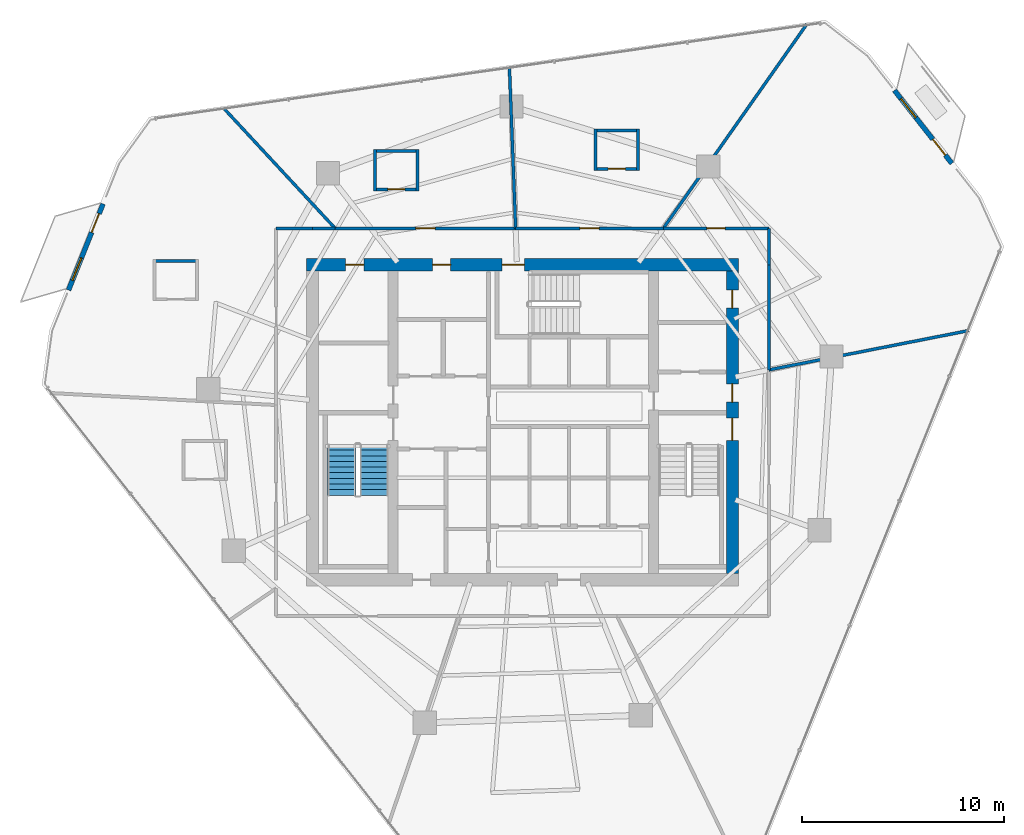
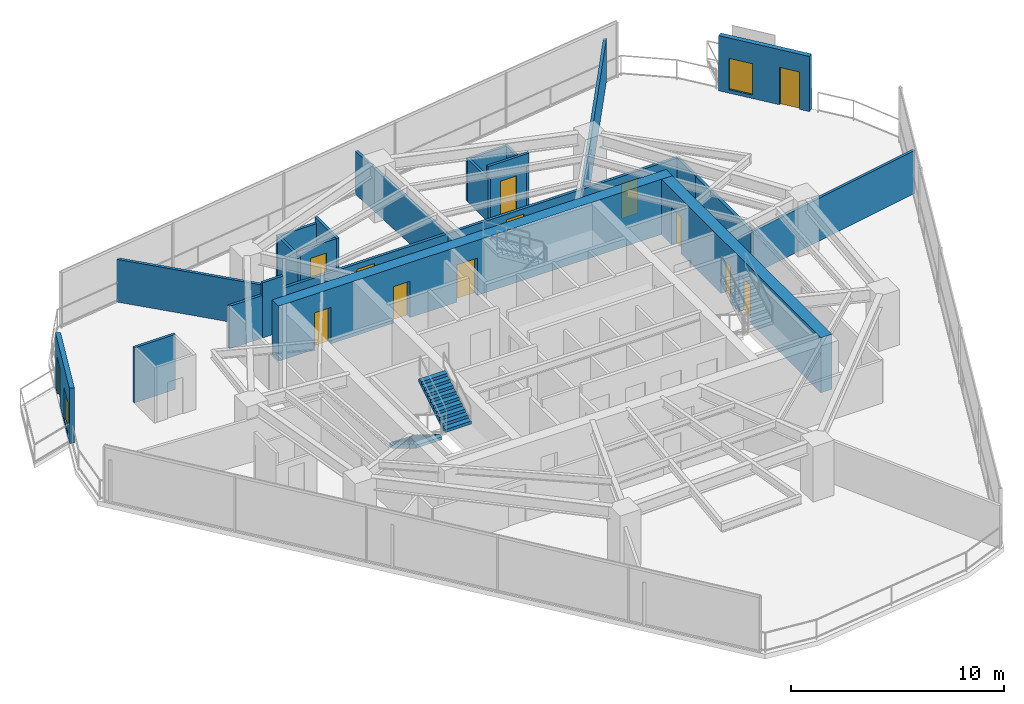
# One storey, part 25 of 29: 24 walls, 13 doors, 2 stair flights, 2 windows, 15 openings, 1 element without a shape of its own.
"""IFC4 building model written with IfcOpenShell, lengths in metres."""

from ifc_helpers import new_model, si_unit, direction, frame, frame_2d, origin, place, context, subcontext, project, spatial, polyline, rectangle, outline, extrude, material, layer, layer_set, type_object, element, fill, aggregate, save


model = new_model("IFC4")

# Units and contexts
model_context = context("Model", 3, precision=1e-05, world=origin(), true_north=direction((0.0, 1.0)))
body_context = subcontext(model_context, "Body", "Model", "MODEL_VIEW")
ifc_project = project(units=[si_unit("LENGTHUNIT", "METRE"), si_unit("AREAUNIT", "SQUARE_METRE"), si_unit("VOLUMEUNIT", "CUBIC_METRE"), si_unit("PLANEANGLEUNIT", "RADIAN"), si_unit("MASSUNIT", "GRAM", prefix="KILO")], contexts=[model_context])

# Site, building, storey
site_placement = place(None, origin())
site = spatial("IfcSite", under=ifc_project, at=site_placement, CompositionType="ELEMENT")
building_placement = place(site_placement, origin())
building = spatial("IfcBuilding", under=site, at=building_placement, Name="Qarnah Convention Tower", CompositionType="ELEMENT")
storey_placement = place(building_placement, frame((0.0, 0.0, 97.050048828125)))
storey = spatial("IfcBuildingStorey", under=building, at=storey_placement, Name="L25", CompositionType="ELEMENT", Elevation=97.050048828125)

# Wall, openings, doors
ifc_material_1 = material(Name="Concrete C60/75", Category="concrete")
ifc_layer_1 = layer(ifc_material_1, 0.60009765625)
ifc_layer_set_1 = layer_set([ifc_layer_1], Name="Concrete C60/75")
wall_type_1 = type_object("IfcWallType", Name="WL-CORE-600", PredefinedType="SHEAR", material=ifc_layer_set_1)
wall_1_placement = place(storey_placement, frame((26.5, 34.199951171875, 0.0), z_axis=(0.0, 0.0, 1.0), x_axis=(1.0, 0.0, 0.0)))
wall_1 = element("IfcWall", 1, at=wall_1_placement, inside=storey, type_object=wall_type_1, Name="L25 core north shear wall", PredefinedType="SHEAR", context=body_context, shape_type="SweptSolid", body=[
    extrude(rectangle(XDim=21.39990234375, YDim=0.60009765625, at=frame_2d((10.699951171875, 0.0))), origin(), (0.0, 0.0, 1.0), 3.169921875),
])
opening_1_placement = place(wall_1_placement, frame((9.699951171875, 0.0, 0.0)))
opening_1 = element("IfcOpeningElement", 2, at=opening_1_placement, cuts=wall_1, Name="Opening D-2503", PredefinedType="OPENING", context=body_context, shape_type="SweptSolid", body=[
    extrude(rectangle(XDim=1.10009765625, YDim=2.14990234375, at=frame_2d((0.550048828125, 1.074951171875))), frame((0.0, 0.31005859375, 0.0), z_axis=(0.0, -1.0, 0.0), x_axis=(1.0, 0.0, 0.0)), (0.0, 0.0, 1.0), 0.6201171875),
])
opening_2_placement = place(wall_1_placement, frame((1.949951171875, 0.0, 0.0)))
opening_2 = element("IfcOpeningElement", 3, at=opening_2_placement, cuts=wall_1, Name="Opening D-2509", PredefinedType="OPENING", context=body_context, shape_type="SweptSolid", body=[
    extrude(rectangle(XDim=0.89990234375, YDim=2.10009765625, at=frame_2d((0.449951171875, 1.050048828125))), frame((0.0, 0.31005859375, 0.0), z_axis=(0.0, -1.0, 0.0), x_axis=(1.0, 0.0, 0.0)), (0.0, 0.0, 1.0), 0.6201171875),
])
opening_3_placement = place(wall_1_placement, frame((6.25, 0.0, 0.0)))
opening_3 = element("IfcOpeningElement", 4, at=opening_3_placement, cuts=wall_1, Name="Opening D-2510", PredefinedType="OPENING", context=body_context, shape_type="SweptSolid", body=[
    extrude(rectangle(XDim=0.89990234375, YDim=2.10009765625, at=frame_2d((0.449951171875, 1.050048828125))), frame((0.0, 0.31005859375, 0.0), z_axis=(0.0, -1.0, 0.0), x_axis=(1.0, 0.0, 0.0)), (0.0, 0.0, 1.0), 0.6201171875),
])
ifc_material_2 = material(Name="Structural steel S355JR", Category="steel")
door_type_1 = type_object("IfcDoorType", Name="DT-RISER-900", OperationType="NOTDEFINED", PredefinedType="DOOR", material=ifc_material_2)
door_1_placement = place(opening_2_placement, origin())
door_1 = element("IfcDoor", 5, at=door_1_placement, inside=storey, type_object=door_type_1, Name="Door D-2509", OperationType="SINGLE_SWING_LEFT", OverallHeight=2.10009765625, OverallWidth=0.89990234375, PredefinedType="DOOR", context=body_context, shape_type="SweptSolid", body=[
    extrude(rectangle(XDim=0.89990234375, YDim=2.10009765625, at=frame_2d((0.449951171875, 1.050048828125))), frame((0.0, 0.02490234375, 0.0), z_axis=(0.0, -1.0, 0.0), x_axis=(1.0, 0.0, 0.0)), (0.0, 0.0, 1.0), 0.050048828125),
])
fill(opening_2, door_1)
door_2_placement = place(opening_3_placement, origin())
door_2 = element("IfcDoor", 6, at=door_2_placement, inside=storey, type_object=door_type_1, Name="Door D-2510", OperationType="SINGLE_SWING_RIGHT", OverallHeight=2.10009765625, OverallWidth=0.89990234375, PredefinedType="DOOR", context=body_context, shape_type="SweptSolid", body=[
    extrude(rectangle(XDim=0.89990234375, YDim=2.10009765625, at=frame_2d((0.449951171875, 1.050048828125))), frame((0.0, 0.02490234375, 0.0), z_axis=(0.0, -1.0, 0.0), x_axis=(1.0, 0.0, 0.0)), (0.0, 0.0, 1.0), 0.050048828125),
])
fill(opening_3, door_2)
door_type_2 = type_object("IfcDoorType", Name="DT-STAIR-1100", OperationType="NOTDEFINED", PredefinedType="DOOR", material=ifc_material_2)
door_3_placement = place(opening_1_placement, origin())
door_3 = element("IfcDoor", 7, at=door_3_placement, inside=storey, type_object=door_type_2, Name="Door D-2503", OperationType="SINGLE_SWING_LEFT", OverallHeight=2.14990234375, OverallWidth=1.10009765625, PredefinedType="DOOR", context=body_context, shape_type="SweptSolid", body=[
    extrude(rectangle(XDim=1.10009765625, YDim=2.14990234375, at=frame_2d((0.550048828125, 1.074951171875))), frame((0.0, 0.02490234375, 0.0), z_axis=(0.0, -1.0, 0.0), x_axis=(1.0, 0.0, 0.0)), (0.0, 0.0, 1.0), 0.050048828125),
])
fill(opening_1, door_3)

wall_2_placement = place(storey_placement, frame((47.60009765625, 18.89990234375, 0.0), z_axis=(0.0, 0.0, 1.0), x_axis=(0.0, 1.0, 0.0)))
wall_2 = element("IfcWall", 8, at=wall_2_placement, inside=storey, type_object=wall_type_1, Name="L25 core east shear wall", PredefinedType="SHEAR", context=body_context, shape_type="SweptSolid", body=[
    extrude(rectangle(XDim=15.0, YDim=0.60009765625, at=frame_2d((7.5, 0.0))), origin(), (0.0, 0.0, 1.0), 3.169921875),
])
opening_4_placement = place(wall_2_placement, frame((6.60009765625, 0.0, 0.0)))
opening_4 = element("IfcOpeningElement", 9, at=opening_4_placement, cuts=wall_2, Name="Opening D-2502", PredefinedType="OPENING", context=body_context, shape_type="SweptSolid", body=[
    extrude(rectangle(XDim=1.10009765625, YDim=2.14990234375, at=frame_2d((0.550048828125, 1.074951171875))), frame((0.0, 0.31005859375, 0.0), z_axis=(0.0, -1.0, 0.0), x_axis=(1.0, 0.0, 0.0)), (0.0, 0.0, 1.0), 0.6201171875),
])
opening_5_placement = place(wall_2_placement, frame((8.5, 0.0, 0.0)))
opening_5 = element("IfcOpeningElement", 10, at=opening_5_placement, cuts=wall_2, Name="Opening D-2506", PredefinedType="OPENING", context=body_context, shape_type="SweptSolid", body=[
    extrude(rectangle(XDim=0.89990234375, YDim=2.10009765625, at=frame_2d((0.449951171875, 1.050048828125))), frame((0.0, 0.31005859375, 0.0), z_axis=(0.0, -1.0, 0.0), x_axis=(1.0, 0.0, 0.0)), (0.0, 0.0, 1.0), 0.6201171875),
])
opening_6_placement = place(wall_2_placement, frame((13.14990234375, 0.0, 0.0)))
opening_6 = element("IfcOpeningElement", 11, at=opening_6_placement, cuts=wall_2, Name="Opening D-2512", PredefinedType="OPENING", context=body_context, shape_type="SweptSolid", body=[
    extrude(rectangle(XDim=0.89990234375, YDim=2.10009765625, at=frame_2d((0.449951171875, 1.050048828125))), frame((0.0, 0.31005859375, 0.0), z_axis=(0.0, -1.0, 0.0), x_axis=(1.0, 0.0, 0.0)), (0.0, 0.0, 1.0), 0.6201171875),
])
door_4_placement = place(opening_5_placement, origin())
door_4 = element("IfcDoor", 12, at=door_4_placement, inside=storey, type_object=door_type_1, Name="Door D-2506", OperationType="SINGLE_SWING_RIGHT", OverallHeight=2.10009765625, OverallWidth=0.89990234375, PredefinedType="DOOR", context=body_context, shape_type="SweptSolid", body=[
    extrude(rectangle(XDim=0.89990234375, YDim=2.10009765625, at=frame_2d((0.449951171875, 1.050048828125))), frame((0.0, 0.02490234375, 0.0), z_axis=(0.0, -1.0, 0.0), x_axis=(1.0, 0.0, 0.0)), (0.0, 0.0, 1.0), 0.050048828125),
])
fill(opening_5, door_4)
door_5_placement = place(opening_6_placement, origin())
door_5 = element("IfcDoor", 13, at=door_5_placement, inside=storey, type_object=door_type_1, Name="Door D-2512", OperationType="SINGLE_SWING_RIGHT", OverallHeight=2.10009765625, OverallWidth=0.89990234375, PredefinedType="DOOR", context=body_context, shape_type="SweptSolid", body=[
    extrude(rectangle(XDim=0.89990234375, YDim=2.10009765625, at=frame_2d((0.449951171875, 1.050048828125))), frame((0.0, 0.02490234375, 0.0), z_axis=(0.0, -1.0, 0.0), x_axis=(1.0, 0.0, 0.0)), (0.0, 0.0, 1.0), 0.050048828125),
])
fill(opening_6, door_5)
door_6_placement = place(opening_4_placement, origin())
door_6 = element("IfcDoor", 14, at=door_6_placement, inside=storey, type_object=door_type_2, Name="Door D-2502", OperationType="SINGLE_SWING_RIGHT", OverallHeight=2.14990234375, OverallWidth=1.10009765625, PredefinedType="DOOR", context=body_context, shape_type="SweptSolid", body=[
    extrude(rectangle(XDim=1.10009765625, YDim=2.14990234375, at=frame_2d((0.550048828125, 1.074951171875))), frame((0.0, 0.02490234375, 0.0), z_axis=(0.0, -1.0, 0.0), x_axis=(1.0, 0.0, 0.0)), (0.0, 0.0, 1.0), 0.050048828125),
])
fill(opening_4, door_6)

# Wall, openings, door, window
ifc_material_3 = material(Name="Precast concrete C45/55", Category="concrete")
ifc_layer_2 = layer(ifc_material_3, 0.239990234375)
ifc_layer_set_2 = layer_set([ifc_layer_2], Name="Precast concrete C45/55")
wall_type_2 = type_object("IfcWallType", Name="WL-EXT-BAL-240", PredefinedType="SOLIDWALL", material=ifc_layer_set_2)
wall_3_placement = place(storey_placement, frame((55.623046875, 42.833984375, 0.0), z_axis=(0.0, 0.0, 1.0), x_axis=(0.617973879918, -0.786198628681, 0.0)))
wall_3 = element("IfcWall", 15, at=wall_3_placement, inside=storey, type_object=wall_type_2, Name="L25 loggia threshold wall BAL-L25-C1", PredefinedType="SOLIDWALL", context=body_context, shape_type="SweptSolid", body=[
    extrude(rectangle(XDim=4.6005859375, YDim=0.239990234375, at=frame_2d((2.30029296875, 0.0))), origin(), (0.0, 0.0, 1.0), 3.169921875),
])
opening_7_placement = place(wall_3_placement, frame((3.0810546875, 0.0, 0.0)))
opening_7 = element("IfcOpeningElement", 16, at=opening_7_placement, cuts=wall_3, Name="Opening BD-2501", PredefinedType="OPENING", context=body_context, shape_type="SweptSolid", body=[
    extrude(rectangle(XDim=1.0, YDim=2.14990234375, at=frame_2d((0.5, 1.074951171875))), frame((0.0, 0.1298828125, 0.0), z_axis=(0.0, -1.0, 0.0), x_axis=(1.0, 0.0, 0.0)), (0.0, 0.0, 1.0), 0.260009765625),
])
opening_8_placement = place(wall_3_placement, frame((0.52001953125, 0.0, 0.199951171875)))
opening_8 = element("IfcOpeningElement", 17, at=opening_8_placement, cuts=wall_3, Name="Opening WN5", PredefinedType="OPENING", context=body_context, shape_type="SweptSolid", body=[
    extrude(rectangle(XDim=1.199951171875, YDim=1.800048828125, at=frame_2d((0.60009765625, 0.89990234375))), frame((0.0, 0.1298828125, 0.0), z_axis=(0.0, -1.0, 0.0), x_axis=(1.0, 0.0, 0.0)), (0.0, 0.0, 1.0), 0.260009765625),
])
ifc_material_4 = material(Name="Black anodised aluminium", Category="aluminium")
door_type_3 = type_object("IfcDoorType", Name="DT-BAL-1000", OperationType="NOTDEFINED", PredefinedType="DOOR", material=ifc_material_4)
door_7_placement = place(opening_7_placement, origin())
door_7 = element("IfcDoor", 18, at=door_7_placement, inside=storey, type_object=door_type_3, Name="L25 balcony terrace door BAL-L25-C1", OperationType="SINGLE_SWING_LEFT", OverallHeight=2.14990234375, OverallWidth=1.0, PredefinedType="DOOR", context=body_context, shape_type="SweptSolid", body=[
    extrude(rectangle(XDim=1.0, YDim=2.14990234375, at=frame_2d((0.5, 1.074951171875))), frame((0.0, 0.02490234375, 0.0), z_axis=(0.0, -1.0, 0.0), x_axis=(1.0, 0.0, 0.0)), (0.0, 0.0, 1.0), 0.050048828125),
])
fill(opening_7, door_7)
ifc_material_5 = material(Name="Tempered Low-E dark glass", Category="glass")
window_type = type_object("IfcWindowType", Name="WT-BAL-1200X1800", PartitioningType="SINGLE_PANEL", PredefinedType="WINDOW", material=ifc_material_5)
window_1_placement = place(opening_8_placement, origin())
window_1 = element("IfcWindow", 19, at=window_1_placement, inside=storey, type_object=window_type, Name="Window BW-BAL-L25-C1", OverallHeight=1.800048828125, OverallWidth=1.199951171875, PartitioningType="SINGLE_PANEL", PredefinedType="WINDOW", context=body_context, shape_type="SweptSolid", body=[
    extrude(rectangle(XDim=1.199951171875, YDim=1.800048828125, at=frame_2d((0.60009765625, 0.89990234375))), frame((0.0, 0.030029296875, 0.0), z_axis=(0.0, -1.0, 0.0), x_axis=(1.0, 0.0, 0.0)), (0.0, 0.0, 1.0), 0.06005859375),
])
fill(opening_8, window_1)

wall_4_placement = place(storey_placement, frame((14.720947265625, 32.945068359375, 0.0), z_axis=(0.0, 0.0, 1.0), x_axis=(0.371939648456, 0.92825691374, 0.0)))
wall_4 = element("IfcWall", 20, at=wall_4_placement, inside=storey, type_object=wall_type_2, Name="L25 loggia threshold wall BAL-L25-C2", PredefinedType="SOLIDWALL", context=body_context, shape_type="SweptSolid", body=[
    extrude(rectangle(XDim=4.60009765625, YDim=0.239990234375, at=frame_2d((2.300048828125, 0.0))), origin(), (0.0, 0.0, 1.0), 3.169921875),
])
opening_9_placement = place(wall_4_placement, frame((3.080078125, 0.0, 0.0)))
opening_9 = element("IfcOpeningElement", 21, at=opening_9_placement, cuts=wall_4, Name="Opening BD-2502", PredefinedType="OPENING", context=body_context, shape_type="SweptSolid", body=[
    extrude(rectangle(XDim=1.0, YDim=2.14990234375, at=frame_2d((0.5, 1.074951171875))), frame((0.0, 0.1298828125, 0.0), z_axis=(0.0, -1.0, 0.0), x_axis=(1.0, 0.0, 0.0)), (0.0, 0.0, 1.0), 0.260009765625),
])
opening_10_placement = place(wall_4_placement, frame((0.52001953125, 0.0, 0.199951171875)))
opening_10 = element("IfcOpeningElement", 22, at=opening_10_placement, cuts=wall_4, Name="Opening WN5", PredefinedType="OPENING", context=body_context, shape_type="SweptSolid", body=[
    extrude(rectangle(XDim=1.199951171875, YDim=1.800048828125, at=frame_2d((0.60009765625, 0.89990234375))), frame((0.0, 0.1298828125, 0.0), z_axis=(0.0, -1.0, 0.0), x_axis=(1.0, 0.0, 0.0)), (0.0, 0.0, 1.0), 0.260009765625),
])
door_8_placement = place(opening_9_placement, origin())
door_8 = element("IfcDoor", 23, at=door_8_placement, inside=storey, type_object=door_type_3, Name="L25 balcony terrace door BAL-L25-C2", OperationType="SINGLE_SWING_RIGHT", OverallHeight=2.14990234375, OverallWidth=1.0, PredefinedType="DOOR", context=body_context, shape_type="SweptSolid", body=[
    extrude(rectangle(XDim=1.0, YDim=2.14990234375, at=frame_2d((0.5, 1.074951171875))), frame((0.0, 0.02490234375, 0.0), z_axis=(0.0, -1.0, 0.0), x_axis=(1.0, 0.0, 0.0)), (0.0, 0.0, 1.0), 0.050048828125),
])
fill(opening_9, door_8)
window_2_placement = place(opening_10_placement, origin())
window_2 = element("IfcWindow", 24, at=window_2_placement, inside=storey, type_object=window_type, Name="Window BW-BAL-L25-C2", OverallHeight=1.800048828125, OverallWidth=1.199951171875, PartitioningType="SINGLE_PANEL", PredefinedType="WINDOW", context=body_context, shape_type="SweptSolid", body=[
    extrude(rectangle(XDim=1.199951171875, YDim=1.800048828125, at=frame_2d((0.60009765625, 0.89990234375))), frame((0.0, 0.030029296875, 0.0), z_axis=(0.0, -1.0, 0.0), x_axis=(1.0, 0.0, 0.0)), (0.0, 0.0, 1.0), 0.06005859375),
])
fill(opening_10, window_2)

# Wall
ifc_material_6 = material(Name="Gypsum partition board")
ifc_layer_3 = layer(ifc_material_6, 0.14990234375)
ifc_layer_set_3 = layer_set([ifc_layer_3], Name="Gypsum partition board")
wall_type_3 = type_object("IfcWallType", Name="WL-SUITE-150", PredefinedType="PARTITIONING", material=ifc_layer_set_3)
wall_5_placement = place(storey_placement, frame((51.2939453125, 46.12890625, 0.0), z_axis=(0.0, 0.0, 1.0), x_axis=(-0.575015089061, -0.818142803765, 0.0)))
element("IfcWall", 25, at=wall_5_placement, inside=storey, type_object=wall_type_3, Name="L25 interior wall IW-L25-R-17", PredefinedType="PARTITIONING", context=body_context, shape_type="SweptSolid", body=[
    extrude(rectangle(XDim=12.38037109375, YDim=0.14990234375, at=frame_2d((6.190185546875, 0.0))), origin(), (0.0, 0.0, 1.0), 2.467041015625),
])

# Wall, opening, door
wall_6_placement = place(storey_placement, frame((44.175048828125, 36.0, 0.0), z_axis=(0.0, 0.0, 1.0), x_axis=(1.0, 0.0, 0.0)))
wall_6 = element("IfcWall", 26, at=wall_6_placement, inside=storey, type_object=wall_type_3, Name="L25 interior wall IW-L25-R-18", PredefinedType="PARTITIONING", context=body_context, shape_type="SweptSolid", body=[
    extrude(rectangle(XDim=5.224853515625, YDim=0.14990234375, at=frame_2d((2.6123046875, 0.0))), origin(), (0.0, 0.0, 1.0), 2.454833984375),
])
opening_11_placement = place(wall_6_placement, frame((2.1630859375, 0.0, 0.0)))
opening_11 = element("IfcOpeningElement", 27, at=opening_11_placement, cuts=wall_6, Name="Opening D-2516", PredefinedType="OPENING", context=body_context, shape_type="SweptSolid", body=[
    extrude(rectangle(XDim=0.89990234375, YDim=2.0, at=frame_2d((0.449951171875, 1.0))), frame((0.0, 0.0849609375, 0.0), z_axis=(0.0, -1.0, 0.0), x_axis=(1.0, 0.0, 0.0)), (0.0, 0.0, 1.0), 0.169921875),
])
door_type_4 = type_object("IfcDoorType", Name="DT-PLANT-900", OperationType="NOTDEFINED", PredefinedType="DOOR", material=ifc_material_2)
door_9_placement = place(opening_11_placement, origin())
door_9 = element("IfcDoor", 28, at=door_9_placement, inside=storey, type_object=door_type_4, Name="Door D-2516", OperationType="SINGLE_SWING_RIGHT", OverallHeight=2.0, OverallWidth=0.89990234375, PredefinedType="DOOR", context=body_context, shape_type="SweptSolid", body=[
    extrude(rectangle(XDim=0.89990234375, YDim=2.0, at=frame_2d((0.449951171875, 1.0))), frame((0.0, 0.02490234375, 0.0), z_axis=(0.0, -1.0, 0.0), x_axis=(1.0, 0.0, 0.0)), (0.0, 0.0, 1.0), 0.050048828125),
])
fill(opening_11, door_9)

# Walls
wall_7_placement = place(storey_placement, frame((49.39990234375, 36.0, 0.0), z_axis=(0.0, 0.0, 1.0), x_axis=(0.0, -1.0, 0.0)))
element("IfcWall", 29, at=wall_7_placement, inside=storey, type_object=wall_type_3, Name="L25 interior wall IW-L25-R-19", PredefinedType="PARTITIONING", context=body_context, shape_type="SweptSolid", body=[
    extrude(rectangle(XDim=1.800048828125, YDim=0.14990234375, at=frame_2d((0.89990234375, 0.0))), origin(), (0.0, 0.0, 1.0), 2.454833984375),
])
wall_8_placement = place(storey_placement, frame((49.39990234375, 34.199951171875, 0.0), z_axis=(0.0, 0.0, 1.0), x_axis=(0.0, -1.0, 0.0)))
element("IfcWall", 30, at=wall_8_placement, inside=storey, type_object=wall_type_3, Name="L25 interior wall IW-L25-R-20", PredefinedType="PARTITIONING", context=body_context, shape_type="SweptSolid", body=[
    extrude(rectangle(XDim=5.20703125, YDim=0.14990234375, at=frame_2d((2.603515625, 0.0))), origin(), (0.0, 0.0, 1.0), 2.454833984375),
])
wall_9_placement = place(storey_placement, frame((49.39990234375, 28.992919921875, 0.0), z_axis=(0.0, 0.0, 1.0), x_axis=(0.981226621017, 0.192858285296, 0.0)))
element("IfcWall", 31, at=wall_9_placement, inside=storey, type_object=wall_type_3, Name="L25 interior wall IW-L25-R-21", PredefinedType="PARTITIONING", context=body_context, shape_type="SweptSolid", body=[
    extrude(rectangle(XDim=10.105712890625, YDim=0.14990234375, at=frame_2d((5.052734375, 0.0))), origin(), (0.0, 0.0, 1.0), 2.467041015625),
])
wall_10_placement = place(storey_placement, frame((36.554931640625, 43.993896484375, 0.0), z_axis=(0.0, 0.0, 1.0), x_axis=(0.038757773165, -0.999248635235, 0.0)))
element("IfcWall", 32, at=wall_10_placement, inside=storey, type_object=wall_type_3, Name="L25 interior wall IW-L25-R-22", PredefinedType="PARTITIONING", context=body_context, shape_type="SweptSolid", body=[
    extrude(rectangle(XDim=8.0, YDim=0.14990234375, at=frame_2d((4.0, 0.0))), origin(), (0.0, 0.0, 1.0), 2.467041015625),
])

# Wall, opening, door
wall_11_placement = place(storey_placement, frame((36.864990234375, 36.0, 0.0), z_axis=(0.0, 0.0, 1.0), x_axis=(1.0, 0.0, 0.0)))
wall_11 = element("IfcWall", 33, at=wall_11_placement, inside=storey, type_object=wall_type_3, Name="L25 interior wall IW-L25-R-23", PredefinedType="PARTITIONING", context=body_context, shape_type="SweptSolid", body=[
    extrude(rectangle(XDim=7.31005859375, YDim=0.14990234375, at=frame_2d((3.655029296875, 0.0))), origin(), (0.0, 0.0, 1.0), 2.467041015625),
])
opening_12_placement = place(wall_11_placement, frame((3.179931640625, 0.0, 0.0)))
opening_12 = element("IfcOpeningElement", 34, at=opening_12_placement, cuts=wall_11, Name="Opening D-2517", PredefinedType="OPENING", context=body_context, shape_type="SweptSolid", body=[
    extrude(rectangle(XDim=0.949951171875, YDim=2.14990234375, at=frame_2d((0.47509765625, 1.074951171875))), frame((0.0, 0.0849609375, 0.0), z_axis=(0.0, -1.0, 0.0), x_axis=(1.0, 0.0, 0.0)), (0.0, 0.0, 1.0), 0.169921875),
])
ifc_material_7 = material(Name="Oak timber veneer", Category="wood")
door_type_5 = type_object("IfcDoorType", Name="DT-HOTEL-950", OperationType="NOTDEFINED", PredefinedType="DOOR", material=ifc_material_7)
door_10_placement = place(opening_12_placement, origin())
door_10 = element("IfcDoor", 35, at=door_10_placement, inside=storey, type_object=door_type_5, Name="Door D-2517", OperationType="SINGLE_SWING_LEFT", OverallHeight=2.14990234375, OverallWidth=0.949951171875, PredefinedType="DOOR", context=body_context, shape_type="SweptSolid", body=[
    extrude(rectangle(XDim=0.949951171875, YDim=2.14990234375, at=frame_2d((0.47509765625, 1.074951171875))), frame((0.0, 0.02490234375, 0.0), z_axis=(0.0, -1.0, 0.0), x_axis=(1.0, 0.0, 0.0)), (0.0, 0.0, 1.0), 0.050048828125),
])
fill(opening_12, door_10)

# Wall
wall_12_placement = place(storey_placement, frame((22.384033203125, 41.97705078125, 0.0), z_axis=(0.0, 0.0, 1.0), x_axis=(0.680108750741, -0.73311123792, 0.0)))
element("IfcWall", 36, at=wall_12_placement, inside=storey, type_object=wall_type_3, Name="L25 interior wall IW-L25-R-24", PredefinedType="PARTITIONING", context=body_context, shape_type="SweptSolid", body=[
    extrude(rectangle(XDim=8.153076171875, YDim=0.14990234375, at=frame_2d((4.07666015625, 0.0))), origin(), (0.0, 0.0, 1.0), 2.454833984375),
])

# Wall, opening, door
wall_13_placement = place(storey_placement, frame((27.928955078125, 36.0, 0.0), z_axis=(0.0, 0.0, 1.0), x_axis=(1.0, 0.0, 0.0)))
wall_13 = element("IfcWall", 37, at=wall_13_placement, inside=storey, type_object=wall_type_3, Name="L25 interior wall IW-L25-R-25", PredefinedType="PARTITIONING", context=body_context, shape_type="SweptSolid", body=[
    extrude(rectangle(XDim=8.93603515625, YDim=0.14990234375, at=frame_2d((4.468017578125, 0.0))), origin(), (0.0, 0.0, 1.0), 2.467041015625),
])
opening_13_placement = place(wall_13_placement, frame((3.992919921875, 0.0, 0.0)))
opening_13 = element("IfcOpeningElement", 38, at=opening_13_placement, cuts=wall_13, Name="Opening D-2519", PredefinedType="OPENING", context=body_context, shape_type="SweptSolid", body=[
    extrude(rectangle(XDim=0.949951171875, YDim=2.14990234375, at=frame_2d((0.47509765625, 1.074951171875))), frame((0.0, 0.0849609375, 0.0), z_axis=(0.0, -1.0, 0.0), x_axis=(1.0, 0.0, 0.0)), (0.0, 0.0, 1.0), 0.169921875),
])
door_11_placement = place(opening_13_placement, origin())
door_11 = element("IfcDoor", 39, at=door_11_placement, inside=storey, type_object=door_type_5, Name="Door D-2519", OperationType="SINGLE_SWING_LEFT", OverallHeight=2.14990234375, OverallWidth=0.949951171875, PredefinedType="DOOR", context=body_context, shape_type="SweptSolid", body=[
    extrude(rectangle(XDim=0.949951171875, YDim=2.14990234375, at=frame_2d((0.47509765625, 1.074951171875))), frame((0.0, 0.02490234375, 0.0), z_axis=(0.0, -1.0, 0.0), x_axis=(1.0, 0.0, 0.0)), (0.0, 0.0, 1.0), 0.050048828125),
])
fill(opening_13, door_11)

# Walls
wall_14_placement = place(storey_placement, frame((25.0, 36.0, 0.0), z_axis=(0.0, 0.0, 1.0), x_axis=(1.0, 0.0, 0.0)))
element("IfcWall", 40, at=wall_14_placement, inside=storey, type_object=wall_type_3, Name="L25 interior wall IW-L25-R-28", PredefinedType="PARTITIONING", context=body_context, shape_type="SweptSolid", body=[
    extrude(rectangle(XDim=1.800048828125, YDim=0.14990234375, at=frame_2d((0.89990234375, 0.0))), origin(), (0.0, 0.0, 1.0), 2.454833984375),
])
wall_15_placement = place(storey_placement, frame((26.800048828125, 36.0, 0.0), z_axis=(0.0, 0.0, 1.0), x_axis=(1.0, 0.0, 0.0)))
element("IfcWall", 41, at=wall_15_placement, inside=storey, type_object=wall_type_3, Name="L25 interior wall IW-L25-R-29", PredefinedType="PARTITIONING", context=body_context, shape_type="SweptSolid", body=[
    extrude(rectangle(XDim=1.12890625, YDim=0.14990234375, at=frame_2d((0.564453125, 0.0))), origin(), (0.0, 0.0, 1.0), 3.169921875),
])

# Wall, opening, door
ifc_layer_4 = layer(ifc_material_6, 0.139892578125)
ifc_layer_set_4 = layer_set([ifc_layer_4], Name="Gypsum partition board")
wall_type_4 = type_object("IfcWallType", Name="WL-WET-140", PredefinedType="PARTITIONING", material=ifc_layer_set_4)
wall_16_placement = place(storey_placement, frame((40.748046875, 38.948974609375, 0.0), z_axis=(0.0, 0.0, 1.0), x_axis=(1.0, 0.0, 0.0)))
wall_16 = element("IfcWall", 42, at=wall_16_placement, inside=storey, type_object=wall_type_4, Name="L25 interior wall IW-L25-ENS01-1", PredefinedType="PARTITIONING", context=body_context, shape_type="SweptSolid", body=[
    extrude(rectangle(XDim=2.239990234375, YDim=0.139892578125, at=frame_2d((1.1201171875, 0.0))), origin(), (0.0, 0.0, 1.0), 3.169921875),
])
opening_14_placement = place(wall_16_placement, frame((0.695068359375, 0.0, 0.0)))
opening_14 = element("IfcOpeningElement", 43, at=opening_14_placement, cuts=wall_16, Name="Opening D-2518", PredefinedType="OPENING", context=body_context, shape_type="SweptSolid", body=[
    extrude(rectangle(XDim=0.85009765625, YDim=2.10009765625, at=frame_2d((0.425048828125, 1.050048828125))), frame((0.0, 0.079833984375, 0.0), z_axis=(0.0, -1.0, 0.0), x_axis=(1.0, 0.0, 0.0)), (0.0, 0.0, 1.0), 0.159912109375),
])
door_type_6 = type_object("IfcDoorType", Name="DT-BATH-850", OperationType="NOTDEFINED", PredefinedType="DOOR", material=ifc_material_7)
door_12_placement = place(opening_14_placement, origin())
door_12 = element("IfcDoor", 44, at=door_12_placement, inside=storey, type_object=door_type_6, Name="Door D-2518", OperationType="SINGLE_SWING_RIGHT", OverallHeight=2.10009765625, OverallWidth=0.85009765625, PredefinedType="DOOR", context=body_context, shape_type="SweptSolid", body=[
    extrude(rectangle(XDim=0.85009765625, YDim=2.10009765625, at=frame_2d((0.425048828125, 1.050048828125))), frame((0.0, 0.02490234375, 0.0), z_axis=(0.0, -1.0, 0.0), x_axis=(1.0, 0.0, 0.0)), (0.0, 0.0, 1.0), 0.050048828125),
])
fill(opening_14, door_12)

# Walls
wall_17_placement = place(storey_placement, frame((42.91796875, 38.87890625, 0.0), z_axis=(0.0, 0.0, 1.0), x_axis=(0.0, 1.0, 0.0)))
element("IfcWall", 45, at=wall_17_placement, inside=storey, type_object=wall_type_4, Name="L25 interior wall IW-L25-ENS01-2", PredefinedType="PARTITIONING", context=body_context, shape_type="SweptSolid", body=[
    extrude(rectangle(XDim=2.0400390625, YDim=0.139892578125, at=frame_2d((1.02001953125, 0.0))), origin(), (0.0, 0.0, 1.0), 2.454833984375),
])
wall_18_placement = place(storey_placement, frame((42.988037109375, 40.84912109375, 0.0), z_axis=(0.0, 0.0, 1.0), x_axis=(-1.0, 0.0, 0.0)))
element("IfcWall", 46, at=wall_18_placement, inside=storey, type_object=wall_type_4, Name="L25 interior wall IW-L25-ENS01-3", PredefinedType="PARTITIONING", context=body_context, shape_type="SweptSolid", body=[
    extrude(rectangle(XDim=2.239990234375, YDim=0.139892578125, at=frame_2d((1.1201171875, 0.0))), origin(), (0.0, 0.0, 1.0), 2.454833984375),
])
wall_19_placement = place(storey_placement, frame((40.818115234375, 40.9189453125, 0.0), z_axis=(0.0, 0.0, 1.0), x_axis=(0.0, -1.0, 0.0)))
element("IfcWall", 47, at=wall_19_placement, inside=storey, type_object=wall_type_4, Name="L25 interior wall IW-L25-ENS01-4", PredefinedType="PARTITIONING", context=body_context, shape_type="SweptSolid", body=[
    extrude(rectangle(XDim=2.0400390625, YDim=0.139892578125, at=frame_2d((1.02001953125, 0.0))), origin(), (0.0, 0.0, 1.0), 2.454833984375),
])

# Wall, opening, door
wall_20_placement = place(storey_placement, frame((29.8369140625, 37.928955078125, 0.0), z_axis=(0.0, 0.0, 1.0), x_axis=(1.0, 0.0, 0.0)))
wall_20 = element("IfcWall", 48, at=wall_20_placement, inside=storey, type_object=wall_type_4, Name="L25 interior wall IW-L25-ENS02-1", PredefinedType="PARTITIONING", context=body_context, shape_type="SweptSolid", body=[
    extrude(rectangle(XDim=2.239990234375, YDim=0.139892578125, at=frame_2d((1.1201171875, 0.0))), origin(), (0.0, 0.0, 1.0), 2.7470703125),
])
opening_15_placement = place(wall_20_placement, frame((0.695068359375, 0.0, 0.0)))
opening_15 = element("IfcOpeningElement", 49, at=opening_15_placement, cuts=wall_20, Name="Opening D-2520", PredefinedType="OPENING", context=body_context, shape_type="SweptSolid", body=[
    extrude(rectangle(XDim=0.85009765625, YDim=2.10009765625, at=frame_2d((0.425048828125, 1.050048828125))), frame((0.0, 0.079833984375, 0.0), z_axis=(0.0, -1.0, 0.0), x_axis=(1.0, 0.0, 0.0)), (0.0, 0.0, 1.0), 0.159912109375),
])
door_13_placement = place(opening_15_placement, origin())
door_13 = element("IfcDoor", 50, at=door_13_placement, inside=storey, type_object=door_type_6, Name="Door D-2520", OperationType="SINGLE_SWING_RIGHT", OverallHeight=2.10009765625, OverallWidth=0.85009765625, PredefinedType="DOOR", context=body_context, shape_type="SweptSolid", body=[
    extrude(rectangle(XDim=0.85009765625, YDim=2.10009765625, at=frame_2d((0.425048828125, 1.050048828125))), frame((0.0, 0.02490234375, 0.0), z_axis=(0.0, -1.0, 0.0), x_axis=(1.0, 0.0, 0.0)), (0.0, 0.0, 1.0), 0.050048828125),
])
fill(opening_15, door_13)

# Walls
wall_21_placement = place(storey_placement, frame((32.007080078125, 37.85888671875, 0.0), z_axis=(0.0, 0.0, 1.0), x_axis=(0.0, 1.0, 0.0)))
element("IfcWall", 51, at=wall_21_placement, inside=storey, type_object=wall_type_4, Name="L25 interior wall IW-L25-ENS02-2", PredefinedType="PARTITIONING", context=body_context, shape_type="SweptSolid", body=[
    extrude(rectangle(XDim=2.0400390625, YDim=0.139892578125, at=frame_2d((1.02001953125, 0.0))), origin(), (0.0, 0.0, 1.0), 2.7470703125),
])
wall_22_placement = place(storey_placement, frame((32.076904296875, 39.8291015625, 0.0), z_axis=(0.0, 0.0, 1.0), x_axis=(-1.0, 0.0, 0.0)))
element("IfcWall", 52, at=wall_22_placement, inside=storey, type_object=wall_type_4, Name="L25 interior wall IW-L25-ENS02-3", PredefinedType="PARTITIONING", context=body_context, shape_type="SweptSolid", body=[
    extrude(rectangle(XDim=2.239990234375, YDim=0.139892578125, at=frame_2d((1.1201171875, 0.0))), origin(), (0.0, 0.0, 1.0), 2.454833984375),
])
wall_23_placement = place(storey_placement, frame((29.906982421875, 39.89892578125, 0.0), z_axis=(0.0, 0.0, 1.0), x_axis=(0.0, -1.0, 0.0)))
element("IfcWall", 53, at=wall_23_placement, inside=storey, type_object=wall_type_4, Name="L25 interior wall IW-L25-ENS02-4", PredefinedType="PARTITIONING", context=body_context, shape_type="SweptSolid", body=[
    extrude(rectangle(XDim=2.0400390625, YDim=0.139892578125, at=frame_2d((1.02001953125, 0.0))), origin(), (0.0, 0.0, 1.0), 2.454833984375),
])
wall_24_placement = place(storey_placement, frame((21.156005859375, 34.39306640625, 0.0), z_axis=(0.0, 0.0, 1.0), x_axis=(-1.0, 0.0, 0.0)))
element("IfcWall", 54, at=wall_24_placement, inside=storey, type_object=wall_type_4, Name="L25 interior wall IW-L25-ENS03-3", PredefinedType="PARTITIONING", context=body_context, shape_type="SweptSolid", body=[
    extrude(rectangle(XDim=2.239990234375, YDim=0.139892578125, at=frame_2d((1.1201171875, 0.0))), origin(), (0.0, 0.0, 1.0), 3.169921875),
])

# Stair, stair flights
ifc_material_8 = material(Name="Concrete C50/60", Category="concrete")
stair_type = type_object("IfcStairType", Name="STR-HTL", PredefinedType="HALF_TURN_STAIR", material=ifc_material_8)
stair_placement = place(storey_placement, origin())
stair = element("IfcStair", 55, at=stair_placement, inside=storey, type_object=stair_type, Name="L25 Core exit stair ST-1", PredefinedType="HALF_TURN_STAIR")
stair_flight_type = type_object("IfcStairFlightType", Name="FLT-HTL", PredefinedType="STRAIGHT", material=ifc_material_8)
stair_flight_1_placement = place(storey_placement, frame((28.25, 25.300048828125, 0.0), z_axis=(0.0, 0.0, 1.0), x_axis=(0.0, -1.0, 0.0)))
stair_flight_1 = element("IfcStairFlight", 56, at=stair_flight_1_placement, type_object=stair_flight_type, Name="ST-1 flight 1", NumberOfRisers=10, NumberOfTreads=9, PredefinedType="STRAIGHT", RiserHeight=0.1725, TreadLength=0.28, context=body_context, shape_type="SweptSolid", body=[
    extrude(outline(polyline([(0.0, 0.0), (0.0, 0.172607421875), (0.280029296875, 0.172607421875), (0.280029296875, 0.344970703125), (0.56005859375, 0.344970703125), (0.56005859375, 0.517578125), (0.840087890625, 0.517578125), (0.840087890625, 0.68994140625), (1.1201171875, 0.68994140625), (1.1201171875, 0.862548828125), (1.39990234375, 0.862548828125), (1.39990234375, 1.034912109375), (1.679931640625, 1.034912109375), (1.679931640625, 1.20751953125), (1.9599609375, 1.20751953125), (1.9599609375, 1.3798828125), (2.239990234375, 1.3798828125), (2.239990234375, 1.552490234375), (2.52001953125, 1.552490234375), (2.52001953125, 1.72509765625), (2.52001953125, 1.37646484375), (0.285888671875, 0.0), (0.0, 0.0)])), frame((0.0, 0.699951171875, 0.0), z_axis=(0.0, -1.0, 0.0), x_axis=(1.0, 0.0, 0.0)), (0.0, 0.0, 1.0), 1.39990234375),
])
stair_flight_2_placement = place(storey_placement, frame((29.85009765625, 22.780029296875, 1.724853515625), z_axis=(0.0, 0.0, 1.0), x_axis=(0.0, 1.0, 0.0)))
stair_flight_2 = element("IfcStairFlight", 57, at=stair_flight_2_placement, type_object=stair_flight_type, Name="ST-1 flight 2", NumberOfRisers=10, NumberOfTreads=9, PredefinedType="STRAIGHT", RiserHeight=0.1725, TreadLength=0.28, context=body_context, shape_type="SweptSolid", body=[
    extrude(outline(polyline([(0.0, 0.0), (0.0, 0.172607421875), (0.280029296875, 0.172607421875), (0.280029296875, 0.344970703125), (0.56005859375, 0.344970703125), (0.56005859375, 0.517578125), (0.840087890625, 0.517578125), (0.840087890625, 0.68994140625), (1.1201171875, 0.68994140625), (1.1201171875, 0.862548828125), (1.39990234375, 0.862548828125), (1.39990234375, 1.034912109375), (1.679931640625, 1.034912109375), (1.679931640625, 1.20751953125), (1.9599609375, 1.20751953125), (1.9599609375, 1.3798828125), (2.239990234375, 1.3798828125), (2.239990234375, 1.552490234375), (2.52001953125, 1.552490234375), (2.52001953125, 1.72509765625), (2.52001953125, 1.37646484375), (0.285888671875, 0.0), (0.0, 0.0)])), frame((0.0, 0.699951171875, 0.0), z_axis=(0.0, -1.0, 0.0), x_axis=(1.0, 0.0, 0.0)), (0.0, 0.0, 1.0), 1.39990234375),
])
aggregate(stair, [stair_flight_1, stair_flight_2])

save(model, "model.ifc")
